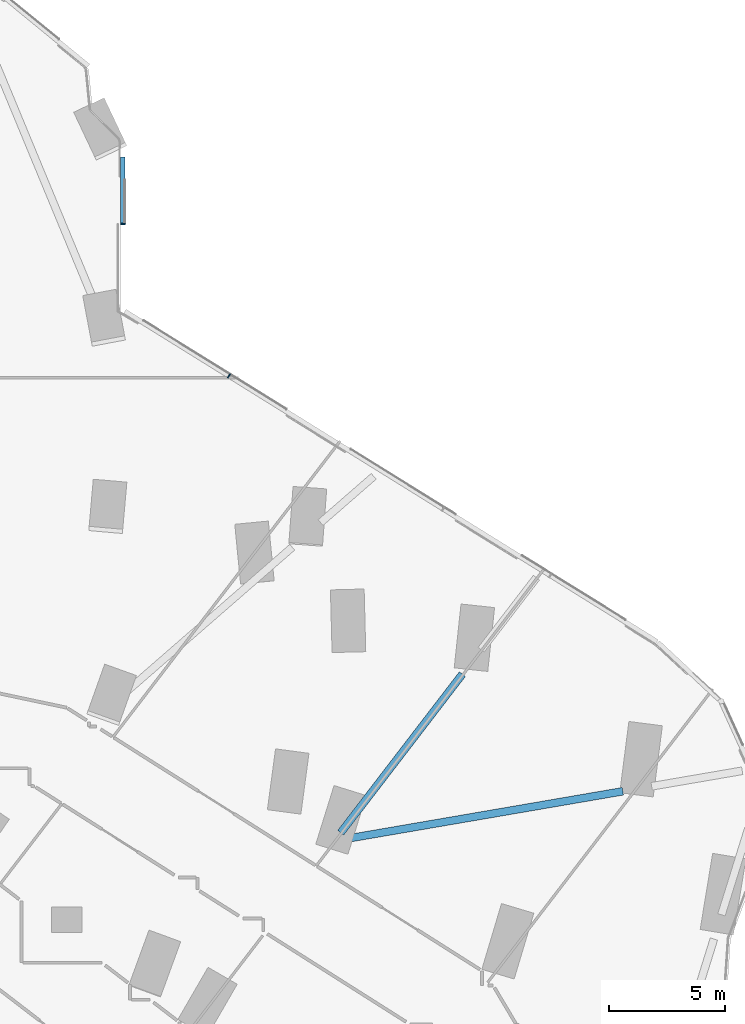
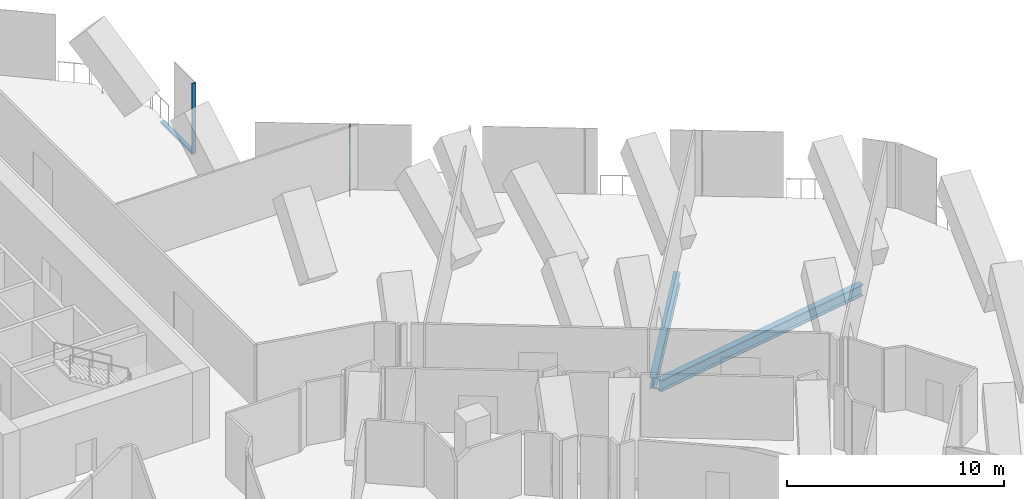
# One storey, part 10 of 32: 3 members, 2 beams, 2 elements without a shape of their own.
"""IFC4 building model written with IfcOpenShell, lengths in metres."""

from ifc_helpers import new_model, si_unit, direction, frame, origin, origin_2d, place, context, subcontext, project, spatial, rectangle, i_section, extrude, material, material_profile, profile_set, type_object, element, aggregate, save


model = new_model("IFC4")

# Units and contexts
model_context = context("Model", 3, precision=1e-05, world=origin(), true_north=direction((0.0, 1.0)))
body_context = subcontext(model_context, "Body", "Model", "MODEL_VIEW")
ifc_project = project(units=[si_unit("LENGTHUNIT", "METRE"), si_unit("AREAUNIT", "SQUARE_METRE"), si_unit("VOLUMEUNIT", "CUBIC_METRE"), si_unit("PLANEANGLEUNIT", "RADIAN"), si_unit("MASSUNIT", "GRAM", prefix="KILO")], contexts=[model_context])

# Site, building, storey
site_placement = place(None, origin())
site = spatial("IfcSite", under=ifc_project, at=site_placement, CompositionType="ELEMENT")
building_placement = place(site_placement, origin())
building = spatial("IfcBuilding", under=site, at=building_placement, Name="Orlundy Tower", CompositionType="ELEMENT")
storey_placement = place(building_placement, frame((0.0, 0.0, 33.300048828125)))
storey = spatial("IfcBuildingStorey", under=building, at=storey_placement, Name="L06", CompositionType="ELEMENT", Elevation=33.300048828125)

# Beams
ifc_material_1 = material(Name="Steel ASTM A992 Gr 50", Category="steel")
ifc_material_profile_1 = material_profile(ifc_material_1, i_section(OverallWidth=0.3291015625, OverallDepth=0.635009765625, WebThickness=0.017822265625, FlangeThickness=0.031005859375, at=origin_2d()), Name="W24X162")
ifc_profile_set_1 = profile_set([ifc_material_profile_1], Name="Steel ASTM A992 Gr 50")
beam_type = type_object("IfcBeamType", Name="CANTILEVER GIRDER beam W24X162", PredefinedType="BEAM", material=ifc_profile_set_1)
beam_1_placement = place(storey_placement, frame((44.7001953125, -10.68310546875, -0.737548828125), z_axis=(-0.608788025786, -0.793332931158, 0.0), x_axis=(0.793332931158, -0.608788025786, 0.0)))
element("IfcBeam", 1, at=beam_1_placement, inside=storey, type_object=beam_type, Name="Back-span girder C-A5-2 L06", PredefinedType="BEAM", context=body_context, shape_type="SweptSolid", body=[
    extrude(i_section(OverallWidth=0.3291015625, OverallDepth=0.635009765625, WebThickness=0.017822265625, FlangeThickness=0.031005859375, at=origin_2d()), origin(), (0.0, 0.0, 1.0), 8.596435546875),
])
beam_2_placement = place(storey_placement, frame((51.59765625, -15.7216796875, -0.737548828125), z_axis=(-0.985557020301, -0.169343909648, 0.0), x_axis=(0.169343909648, -0.985557020301, 0.0)))
element("IfcBeam", 2, at=beam_2_placement, inside=storey, type_object=beam_type, Name="Back-span girder C-A5-3 L06", PredefinedType="BEAM", context=body_context, shape_type="SweptSolid", body=[
    extrude(i_section(OverallWidth=0.3291015625, OverallDepth=0.635009765625, WebThickness=0.017822265625, FlangeThickness=0.031005859375, at=origin_2d()), origin(), (0.0, 0.0, 1.0), 12.140380859375),
])

# Curtain wall, member
ifc_material_2 = material(Name="Aluminium bronze anodised", Category="aluminium")
curtain_wall_type = type_object("IfcCurtainWallType", Name="CW5 wall", PredefinedType="NOTDEFINED", material=ifc_material_2)
curtain_wall_1_placement = place(storey_placement, origin())
curtain_wall_1 = element("IfcCurtainWall", 3, at=curtain_wall_1_placement, inside=storey, type_object=curtain_wall_type, Name="CW5 run 014", PredefinedType="NOTDEFINED")
ifc_material_3 = material(Name="Aluminium bronze anodised", Category="aluminium")
ifc_material_profile_2 = material_profile(ifc_material_3, rectangle(XDim=0.199951171875, YDim=0.050048828125, at=origin_2d()), Name="CW5 mullion 50x200")
ifc_profile_set_2 = profile_set([ifc_material_profile_2], Name="Aluminium bronze anodised")
member_type_1 = type_object("IfcMemberType", Name="CW5 mullion 50x200", PredefinedType="MULLION", material=ifc_profile_set_2)
member_1_placement = place(storey_placement, frame((30.10009765625, 8.6708984375, -0.420166015625), z_axis=(0.0, 0.0, 1.0), x_axis=(1.0, 0.0, 0.0)))
member_1 = element("IfcMember", 4, at=member_1_placement, type_object=member_type_1, Name="CW5 mullion 22", PredefinedType="MULLION", context=body_context, shape_type="SweptSolid", body=[
    extrude(rectangle(XDim=0.199951171875, YDim=0.050048828125, at=origin_2d()), origin(), (0.0, 0.0, 1.0), 4.0),
])

curtain_wall_2_placement = place(storey_placement, origin())
curtain_wall_2 = element("IfcCurtainWall", 5, at=curtain_wall_2_placement, inside=storey, type_object=curtain_wall_type, Name="CW5 run 015", PredefinedType="NOTDEFINED")
member_2_placement = place(storey_placement, frame((34.658447265625, 2.1416015625, -0.420166015625), z_axis=(0.0, 0.0, 1.0), x_axis=(0.527462960773, 0.849578027619, 0.0)))
member_2 = element("IfcMember", 6, at=member_2_placement, type_object=member_type_1, Name="CW5 mullion 24", PredefinedType="MULLION", context=body_context, shape_type="SweptSolid", body=[
    extrude(rectangle(XDim=0.199951171875, YDim=0.050048828125, at=origin_2d()), origin(), (0.0, 0.0, 1.0), 4.0),
])
aggregate(curtain_wall_2, [member_2])

# Member
ifc_material_4 = material(Name="Aluminium bronze anodised", Category="aluminium")
ifc_material_profile_3 = material_profile(ifc_material_4, rectangle(XDim=0.199951171875, YDim=0.139892578125, at=origin_2d()), Name="CW5 transom 200x140")
ifc_profile_set_3 = profile_set([ifc_material_profile_3], Name="Aluminium bronze anodised")
member_type_2 = type_object("IfcMemberType", Name="CW5 transom 200x140", PredefinedType="USERDEFINED", material=ifc_profile_set_3)
member_3_placement = place(storey_placement, frame((30.10009765625, 11.5478515625, -0.35009765625), z_axis=(0.0, -1.0, 0.0), x_axis=(1.0, 0.0, 0.0)))
member_3 = element("IfcMember", 7, at=member_3_placement, type_object=member_type_2, Name="CW5 transom", ObjectType="TRANSOM", PredefinedType="USERDEFINED", context=body_context, shape_type="SweptSolid", body=[
    extrude(rectangle(XDim=0.199951171875, YDim=0.139892578125, at=origin_2d()), origin(), (0.0, 0.0, 1.0), 2.851806640625),
])

aggregate(curtain_wall_1, [member_1, member_3])

save(model, "model.ifc")
